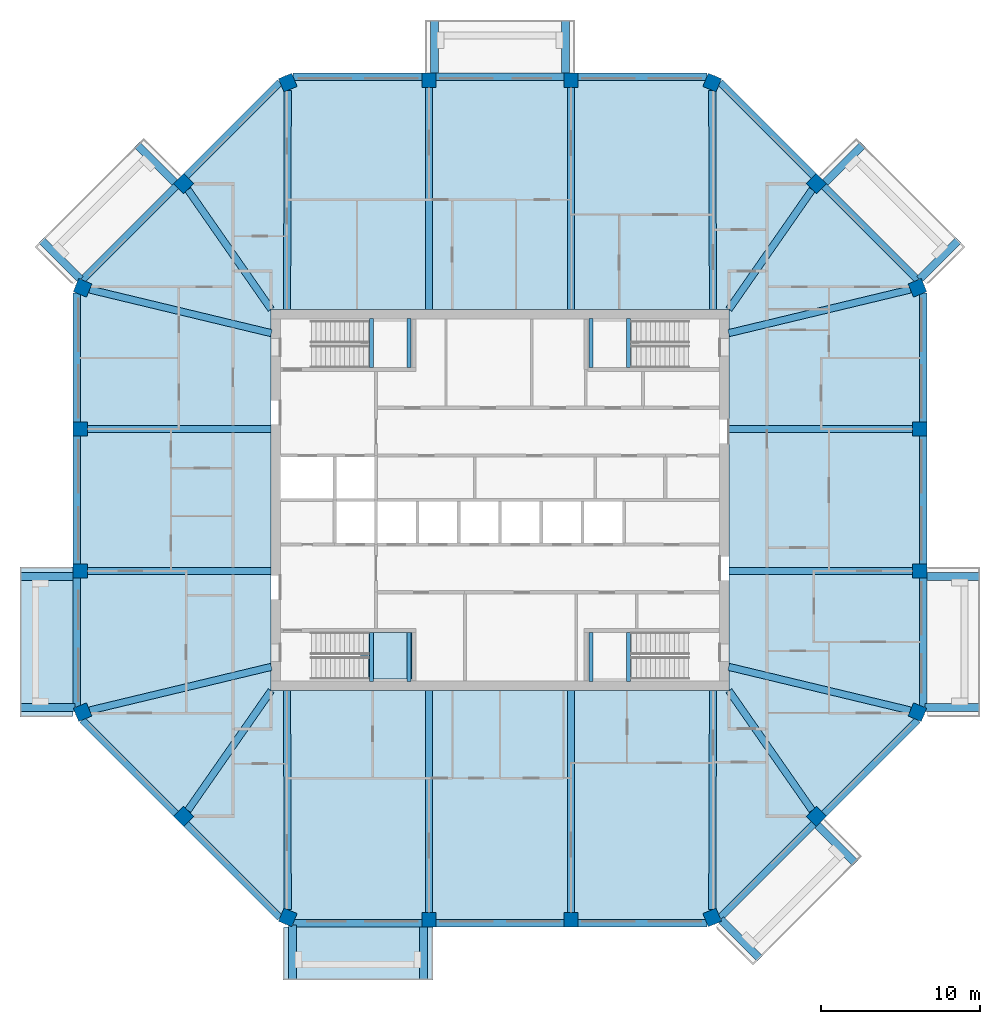
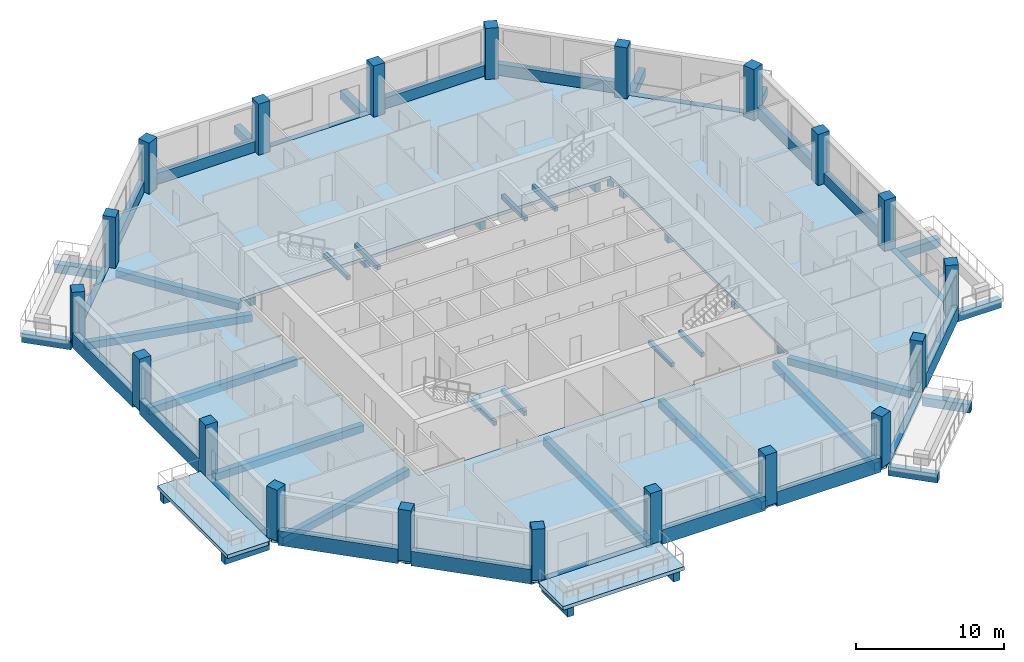
# One storey, part 1 of 11: 62 beams, 20 columns, 4 slabs, 1 element without a shape of its own.
"""IFC4 building model written with IfcOpenShell, lengths in metres."""

from ifc_helpers import new_model, si_unit, direction, frame, origin, origin_2d, place, context, subcontext, project, spatial, polyline, rectangle, outline, extrude, material, layer, layer_set, material_profile, profile_set, type_object, element, aggregate, save


model = new_model("IFC4")

# Units and contexts
model_context = context("Model", 3, precision=1e-05, world=origin(), true_north=direction((0.0, 1.0)))
body_context = subcontext(model_context, "Body", "Model", "MODEL_VIEW")
ifc_project = project(units=[si_unit("LENGTHUNIT", "METRE"), si_unit("AREAUNIT", "SQUARE_METRE"), si_unit("VOLUMEUNIT", "CUBIC_METRE"), si_unit("PLANEANGLEUNIT", "RADIAN"), si_unit("MASSUNIT", "GRAM", prefix="KILO")], contexts=[model_context])

# Site, building, storey
site_placement = place(None, origin())
site = spatial("IfcSite", under=ifc_project, at=site_placement, CompositionType="ELEMENT")
building_placement = place(site_placement, origin())
building = spatial("IfcBuilding", under=site, at=building_placement, Name="Msitu Wima Residences", CompositionType="ELEMENT")
storey_placement = place(building_placement, frame((0.0, 0.0, 297.89990234375)))
storey = spatial("IfcBuildingStorey", under=building, at=storey_placement, Name="L69", CompositionType="ELEMENT", Elevation=297.89990234375)

# Columns
ifc_material_1 = material(Name="Concrete C50/60", Category="concrete")
ifc_material_profile_1 = material_profile(ifc_material_1, rectangle(XDim=0.89990234375, YDim=0.89990234375, at=origin_2d()), Name="RC 900x900")
ifc_profile_set_1 = profile_set([ifc_material_profile_1], Name="Concrete C50/60")
column_type = type_object("IfcColumnType", Name="Column RC 900x900 Concrete C50/60", PredefinedType="COLUMN", material=ifc_profile_set_1)
for number, where, z_axis, x_axis, name in (
    (1, (26.261962890625, -13.3486328125, 0.0), (0.0, 0.0, 1.0), (0.382683496864, 0.923879505795, 0.0), "Column L69 C-E0"),
    (2, (26.39990234375, -4.46875, 0.0), (0.0, 0.0, 1.0), (0.0, 1.0, 0.0), "Column L69 C-E1"),
    (3, (26.39990234375, 4.46875, 0.0), (0.0, 0.0, 1.0), (0.0, 1.0, 0.0), "Column L69 C-E2"),
    (4, (26.261962890625, 13.3486328125, 0.0), (0.0, 0.0, 1.0), (-0.382683496864, 0.923879505795, 0.0), "Column L69 C-NE0"),
    (5, (19.90283203125, 19.90283203125, 0.0), (0.0, 0.0, 1.0), (-0.707106781187, 0.707106781187, 0.0), "Column L69 C-NE1"),
    (6, (13.3486328125, 26.261962890625, 0.0), (0.0, 0.0, 1.0), (-0.923879505795, 0.382683496864, 0.0), "Column L69 C-N0"),
    (7, (4.46875, 26.39990234375, 0.0), (0.0, 0.0, 1.0), (-1.0, 0.0, 0.0), "Column L69 C-N1"),
    (8, (-4.46875, 26.39990234375, 0.0), (0.0, 0.0, 1.0), (-1.0, 0.0, 0.0), "Column L69 C-N2"),
    (9, (-13.3486328125, 26.261962890625, 0.0), (0.0, 0.0, 1.0), (-0.923879505795, -0.382683496864, 0.0), "Column L69 C-NW0"),
    (10, (-19.90283203125, 19.90283203125, 0.0), (0.0, 0.0, 1.0), (-0.707106781187, -0.707106781187, 0.0), "Column L69 C-NW1"),
    (11, (-26.261962890625, 13.3486328125, 0.0), (0.0, 0.0, 1.0), (-0.382683496864, -0.923879505795, 0.0), "Column L69 C-W0"),
    (12, (-26.39990234375, 4.46875, 0.0), (0.0, 0.0, 1.0), (0.0, -1.0, 0.0), "Column L69 C-W1"),
    (13, (-26.39990234375, -4.46875, 0.0), (0.0, 0.0, 1.0), (0.0, -1.0, 0.0), "Column L69 C-W2"),
    (14, (-26.261962890625, -13.3486328125, 0.0), (0.0, 0.0, 1.0), (0.382683496864, -0.923879505795, 0.0), "Column L69 C-SW0"),
    (15, (-19.90283203125, -19.90283203125, 0.0), (0.0, 0.0, 1.0), (0.707106781187, -0.707106781187, 0.0), "Column L69 C-SW1"),
    (16, (-13.3486328125, -26.261962890625, 0.0), (0.0, 0.0, 1.0), (0.923879505795, -0.382683496864, 0.0), "Column L69 C-S0"),
    (17, (-4.46875, -26.39990234375, 0.0), (0.0, 0.0, 1.0), (1.0, 0.0, 0.0), "Column L69 C-S1"),
    (18, (4.46875, -26.39990234375, 0.0), (0.0, 0.0, 1.0), (1.0, 0.0, 0.0), "Column L69 C-S2"),
    (19, (13.3486328125, -26.261962890625, 0.0), (0.0, 0.0, 1.0), (0.923879505795, 0.382683496864, 0.0), "Column L69 C-SE0"),
    (20, (19.90283203125, -19.90283203125, 0.0), (0.0, 0.0, 1.0), (0.707106781187, 0.707106781187, 0.0), "Column L69 C-SE1"),
):
    element("IfcColumn", number, at=place(storey_placement, frame(where, z_axis=z_axis, x_axis=x_axis)), inside=storey, type_object=column_type, Name=name, PredefinedType="COLUMN", context=body_context, shape_type="SweptSolid", body=[
        extrude(rectangle(XDim=0.89990234375, YDim=0.89990234375, at=origin_2d()), origin(), (0.0, 0.0, 1.0), 4.2001953125),
    ])

# Beams
ifc_material_profile_2 = material_profile(ifc_material_1, rectangle(XDim=0.449951171875, YDim=0.60009765625, at=origin_2d()), Name="RC 450x600")
ifc_profile_set_2 = profile_set([ifc_material_profile_2], Name="Concrete C50/60")
beam_type_1 = type_object("IfcBeamType", Name="Beam RC 450x600 Concrete C50/60", PredefinedType="BEAM", material=ifc_profile_set_2)
beam_1_placement = place(storey_placement, frame((25.819091796875, -13.242431640625, -0.5498046875), z_axis=(-0.972353359268, 0.233514335148, 0.0), x_axis=(-0.233514335148, -0.972353359268, 0.0)))
element("IfcBeam", 21, at=beam_1_placement, inside=storey, type_object=beam_type_1, Name="Beam L69 C-E0", PredefinedType="BEAM", context=body_context, shape_type="SweptSolid", body=[
    extrude(rectangle(XDim=0.449951171875, YDim=0.60009765625, at=origin_2d()), origin(), (0.0, 0.0, 1.0), 11.755615234375),
])
for number, where, z_axis, x_axis, name in (
    (22, (25.949951171875, -4.46875, -0.5498046875), (-1.0, 0.0, 0.0), (0.0, -1.0, 0.0), "Beam L69 C-E1"),
    (23, (25.949951171875, 4.46875, -0.5498046875), (-1.0, 0.0, 0.0), (0.0, -1.0, 0.0), "Beam L69 C-E2"),
):
    element("IfcBeam", number, at=place(storey_placement, frame(where, z_axis=z_axis, x_axis=x_axis)), inside=storey, type_object=beam_type_1, Name=name, PredefinedType="BEAM", context=body_context, shape_type="SweptSolid", body=[
        extrude(rectangle(XDim=0.449951171875, YDim=0.60009765625, at=origin_2d()), origin(), (0.0, 0.0, 1.0), 11.550048828125),
    ])
beam_2_placement = place(storey_placement, frame((25.819091796875, 13.242431640625, -0.5498046875), z_axis=(-0.972353359268, -0.233514335148, 0.0), x_axis=(0.233514335148, -0.972353359268, 0.0)))
element("IfcBeam", 24, at=beam_2_placement, inside=storey, type_object=beam_type_1, Name="Beam L69 C-NE0", PredefinedType="BEAM", context=body_context, shape_type="SweptSolid", body=[
    extrude(rectangle(XDim=0.449951171875, YDim=0.60009765625, at=origin_2d()), origin(), (0.0, 0.0, 1.0), 11.755615234375),
])
for number, where, z_axis, x_axis, name in (
    (25, (19.6416015625, 19.52783203125, -0.5498046875), (-0.571427822633, -0.820652328042, 0.0), (0.820652328042, -0.571427822633, 0.0), "Beam L69 C-NE1"),
    (26, (-19.6416015625, 19.52783203125, -0.5498046875), (0.571427822633, -0.820652328042, 0.0), (0.820652328042, 0.571427822633, 0.0), "Beam L69 C-NW1"),
):
    element("IfcBeam", number, at=place(storey_placement, frame(where, z_axis=z_axis, x_axis=x_axis)), inside=storey, type_object=beam_type_1, Name=name, PredefinedType="BEAM", context=body_context, shape_type="SweptSolid", body=[
        extrude(rectangle(XDim=0.449951171875, YDim=0.60009765625, at=origin_2d()), origin(), (0.0, 0.0, 1.0), 9.173095703125),
    ])
beam_3_placement = place(storey_placement, frame((-25.819091796875, 13.242431640625, -0.5498046875), z_axis=(0.972353359268, -0.233514335148, 0.0), x_axis=(0.233514335148, 0.972353359268, 0.0)))
element("IfcBeam", 27, at=beam_3_placement, inside=storey, type_object=beam_type_1, Name="Beam L69 C-W0", PredefinedType="BEAM", context=body_context, shape_type="SweptSolid", body=[
    extrude(rectangle(XDim=0.449951171875, YDim=0.60009765625, at=origin_2d()), origin(), (0.0, 0.0, 1.0), 11.755615234375),
])
for number, where, z_axis, x_axis, name in (
    (28, (-25.949951171875, 4.46875, -0.5498046875), (1.0, 0.0, 0.0), (0.0, 1.0, 0.0), "Beam L69 C-W1"),
    (29, (-25.949951171875, -4.46875, -0.5498046875), (1.0, 0.0, 0.0), (0.0, 1.0, 0.0), "Beam L69 C-W2"),
):
    element("IfcBeam", number, at=place(storey_placement, frame(where, z_axis=z_axis, x_axis=x_axis)), inside=storey, type_object=beam_type_1, Name=name, PredefinedType="BEAM", context=body_context, shape_type="SweptSolid", body=[
        extrude(rectangle(XDim=0.449951171875, YDim=0.60009765625, at=origin_2d()), origin(), (0.0, 0.0, 1.0), 11.550048828125),
    ])
beam_4_placement = place(storey_placement, frame((-25.819091796875, -13.242431640625, -0.5498046875), z_axis=(0.972353359268, 0.233514335148, 0.0), x_axis=(-0.233514335148, 0.972353359268, 0.0)))
element("IfcBeam", 30, at=beam_4_placement, inside=storey, type_object=beam_type_1, Name="Beam L69 C-SW0", PredefinedType="BEAM", context=body_context, shape_type="SweptSolid", body=[
    extrude(rectangle(XDim=0.449951171875, YDim=0.60009765625, at=origin_2d()), origin(), (0.0, 0.0, 1.0), 11.755615234375),
])
for number, where, z_axis, x_axis, name in (
    (31, (-19.6416015625, -19.52783203125, -0.5498046875), (0.571427822633, 0.820652328042, 0.0), (-0.820652328042, 0.571427822633, 0.0), "Beam L69 C-SW1"),
    (32, (19.6416015625, -19.52783203125, -0.5498046875), (-0.571427822633, 0.820652328042, 0.0), (-0.820652328042, -0.571427822633, 0.0), "Beam L69 C-SE1"),
):
    element("IfcBeam", number, at=place(storey_placement, frame(where, z_axis=z_axis, x_axis=x_axis)), inside=storey, type_object=beam_type_1, Name=name, PredefinedType="BEAM", context=body_context, shape_type="SweptSolid", body=[
        extrude(rectangle(XDim=0.449951171875, YDim=0.60009765625, at=origin_2d()), origin(), (0.0, 0.0, 1.0), 9.173095703125),
    ])
ifc_material_profile_3 = material_profile(ifc_material_1, rectangle(XDim=0.449951171875, YDim=0.64990234375, at=origin_2d()), Name="RC 450x650")
ifc_profile_set_3 = profile_set([ifc_material_profile_3], Name="Concrete C50/60")
beam_type_2 = type_object("IfcBeamType", Name="Beam RC 450x650 Concrete C50/60", PredefinedType="BEAM", material=ifc_profile_set_3)
beam_5_placement = place(storey_placement, frame((13.3505859375, 25.774169921875, -0.574951171875), z_axis=(0.003594933206, -0.999993538207, 0.0), x_axis=(0.999993538207, 0.003594933206, 0.0)))
element("IfcBeam", 33, at=beam_5_placement, inside=storey, type_object=beam_type_2, Name="Beam L69 C-N0", PredefinedType="BEAM", context=body_context, shape_type="SweptSolid", body=[
    extrude(rectangle(XDim=0.449951171875, YDim=0.64990234375, at=origin_2d()), origin(), (0.0, 0.0, 1.0), 13.7861328125),
])
for number, where, z_axis, x_axis, name in (
    (34, (4.46875, 25.949951171875, -0.574951171875), (0.0, -1.0, 0.0), (1.0, 0.0, 0.0), "Beam L69 C-N1"),
    (35, (-4.46875, 25.949951171875, -0.574951171875), (0.0, -1.0, 0.0), (1.0, 0.0, 0.0), "Beam L69 C-N2"),
):
    element("IfcBeam", number, at=place(storey_placement, frame(where, z_axis=z_axis, x_axis=x_axis)), inside=storey, type_object=beam_type_2, Name=name, PredefinedType="BEAM", context=body_context, shape_type="SweptSolid", body=[
        extrude(rectangle(XDim=0.449951171875, YDim=0.64990234375, at=origin_2d()), origin(), (0.0, 0.0, 1.0), 13.949951171875),
    ])
for number, where, z_axis, x_axis, name in (
    (36, (-13.3505859375, 25.774169921875, -0.574951171875), (-0.003594933206, -0.999993538207, 0.0), (0.999993538207, -0.003594933206, 0.0), "Beam L69 C-NW0"),
    (37, (-13.3505859375, -25.774169921875, -0.574951171875), (-0.003594933206, 0.999993538207, 0.0), (-0.999993538207, -0.003594933206, 0.0), "Beam L69 C-S0"),
):
    element("IfcBeam", number, at=place(storey_placement, frame(where, z_axis=z_axis, x_axis=x_axis)), inside=storey, type_object=beam_type_2, Name=name, PredefinedType="BEAM", context=body_context, shape_type="SweptSolid", body=[
        extrude(rectangle(XDim=0.449951171875, YDim=0.64990234375, at=origin_2d()), origin(), (0.0, 0.0, 1.0), 13.7861328125),
    ])
for number, where, z_axis, x_axis, name in (
    (38, (-4.46875, -25.949951171875, -0.574951171875), (0.0, 1.0, 0.0), (-1.0, 0.0, 0.0), "Beam L69 C-S1"),
    (39, (4.46875, -25.949951171875, -0.574951171875), (0.0, 1.0, 0.0), (-1.0, 0.0, 0.0), "Beam L69 C-S2"),
):
    element("IfcBeam", number, at=place(storey_placement, frame(where, z_axis=z_axis, x_axis=x_axis)), inside=storey, type_object=beam_type_2, Name=name, PredefinedType="BEAM", context=body_context, shape_type="SweptSolid", body=[
        extrude(rectangle(XDim=0.449951171875, YDim=0.64990234375, at=origin_2d()), origin(), (0.0, 0.0, 1.0), 13.949951171875),
    ])
beam_6_placement = place(storey_placement, frame((13.3505859375, -25.774169921875, -0.574951171875), z_axis=(0.003594933206, 0.999993538207, 0.0), x_axis=(-0.999993538207, 0.003594933206, 0.0)))
element("IfcBeam", 40, at=beam_6_placement, inside=storey, type_object=beam_type_2, Name="Beam L69 C-SE0", PredefinedType="BEAM", context=body_context, shape_type="SweptSolid", body=[
    extrude(rectangle(XDim=0.449951171875, YDim=0.64990234375, at=origin_2d()), origin(), (0.0, 0.0, 1.0), 13.7861328125),
])
ifc_material_profile_4 = material_profile(ifc_material_1, rectangle(XDim=0.5, YDim=0.699951171875, at=origin_2d()), Name="RC 500x700")
ifc_profile_set_4 = profile_set([ifc_material_profile_4], Name="Concrete C50/60")
beam_type_3 = type_object("IfcBeamType", Name="Cantilever beam RC 500x700 Concrete C50/60", PredefinedType="BEAM", material=ifc_profile_set_4)
beam_7_placement = place(storey_placement, frame((26.73095703125, -13.055908203125, -0.64990234375), z_axis=(1.0, 0.0, 0.0), x_axis=(0.0, 1.0, 0.0)))
element("IfcBeam", 41, at=beam_7_placement, inside=storey, type_object=beam_type_3, Name="Cantilever beam L69 BA-E0 A", PredefinedType="BEAM", context=body_context, shape_type="SweptSolid", body=[
    extrude(rectangle(XDim=0.5, YDim=0.699951171875, at=origin_2d()), origin(), (0.0, 0.0, 1.0), 3.468994140625),
])
beam_8_placement = place(storey_placement, frame((26.85009765625, -4.818603515625, -0.64990234375), z_axis=(1.0, 0.0, 0.0), x_axis=(0.0, 1.0, 0.0)))
element("IfcBeam", 42, at=beam_8_placement, inside=storey, type_object=beam_type_3, Name="Cantilever beam L69 BA-E0 B", PredefinedType="BEAM", context=body_context, shape_type="SweptSolid", body=[
    extrude(rectangle(XDim=0.5, YDim=0.699951171875, at=origin_2d()), origin(), (0.0, 0.0, 1.0), 3.349853515625),
])
beam_9_placement = place(storey_placement, frame((26.386474609375, 13.887451171875, -0.64990234375), z_axis=(0.707141968506, 0.707071592116, 0.0), x_axis=(-0.707071592116, 0.707141968506, 0.0)))
element("IfcBeam", 43, at=beam_9_placement, inside=storey, type_object=beam_type_3, Name="Cantilever beam L69 BA-NE0 A", PredefinedType="BEAM", context=body_context, shape_type="SweptSolid", body=[
    extrude(rectangle(XDim=0.5, YDim=0.699951171875, at=origin_2d()), origin(), (0.0, 0.0, 1.0), 3.468994140625),
])
for number, where, z_axis, x_axis, name in (
    (44, (20.46875, 19.9736328125, -0.64990234375), (0.707070340836, 0.707143219659, 0.0), (-0.707143219659, 0.707070340836, 0.0), "Cantilever beam L69 BA-NE0 B"),
    (45, (4.11865234375, 26.85009765625, -0.64990234375), (0.0, 1.0, 0.0), (-1.0, 0.0, 0.0), "Cantilever beam L69 BA-N1 A"),
    (46, (-4.11865234375, 26.85009765625, -0.64990234375), (0.0, 1.0, 0.0), (-1.0, 0.0, 0.0), "Cantilever beam L69 BA-N1 B"),
    (47, (-20.46875, 19.9736328125, -0.64990234375), (-0.707070340836, 0.707143219659, 0.0), (-0.707143219659, -0.707070340836, 0.0), "Cantilever beam L69 BA-NW1 A"),
):
    element("IfcBeam", number, at=place(storey_placement, frame(where, z_axis=z_axis, x_axis=x_axis)), inside=storey, type_object=beam_type_3, Name=name, PredefinedType="BEAM", context=body_context, shape_type="SweptSolid", body=[
        extrude(rectangle(XDim=0.5, YDim=0.699951171875, at=origin_2d()), origin(), (0.0, 0.0, 1.0), 3.349853515625),
    ])
beam_10_placement = place(storey_placement, frame((-26.386474609375, 13.887451171875, -0.64990234375), z_axis=(-0.707141968506, 0.707071592116, 0.0), x_axis=(-0.707071592116, -0.707141968506, 0.0)))
element("IfcBeam", 48, at=beam_10_placement, inside=storey, type_object=beam_type_3, Name="Cantilever beam L69 BA-NW1 B", PredefinedType="BEAM", context=body_context, shape_type="SweptSolid", body=[
    extrude(rectangle(XDim=0.5, YDim=0.699951171875, at=origin_2d()), origin(), (0.0, 0.0, 1.0), 3.468994140625),
])
beam_11_placement = place(storey_placement, frame((-26.85009765625, -4.818603515625, -0.64990234375), z_axis=(-1.0, 0.0, 0.0), x_axis=(0.0, -1.0, 0.0)))
element("IfcBeam", 49, at=beam_11_placement, inside=storey, type_object=beam_type_3, Name="Cantilever beam L69 BA-W2 A", PredefinedType="BEAM", context=body_context, shape_type="SweptSolid", body=[
    extrude(rectangle(XDim=0.5, YDim=0.699951171875, at=origin_2d()), origin(), (0.0, 0.0, 1.0), 3.349853515625),
])
for number, where, z_axis, x_axis, name in (
    (50, (-26.73095703125, -13.055908203125, -0.64990234375), (-1.0, 0.0, 0.0), (0.0, -1.0, 0.0), "Cantilever beam L69 BA-W2 B"),
    (51, (-13.055908203125, -26.73095703125, -0.64990234375), (0.0, -1.0, 0.0), (1.0, 0.0, 0.0), "Cantilever beam L69 BA-S0 A"),
):
    element("IfcBeam", number, at=place(storey_placement, frame(where, z_axis=z_axis, x_axis=x_axis)), inside=storey, type_object=beam_type_3, Name=name, PredefinedType="BEAM", context=body_context, shape_type="SweptSolid", body=[
        extrude(rectangle(XDim=0.5, YDim=0.699951171875, at=origin_2d()), origin(), (0.0, 0.0, 1.0), 3.468994140625),
    ])
beam_12_placement = place(storey_placement, frame((-4.818603515625, -26.85009765625, -0.64990234375), z_axis=(0.0, -1.0, 0.0), x_axis=(1.0, 0.0, 0.0)))
element("IfcBeam", 52, at=beam_12_placement, inside=storey, type_object=beam_type_3, Name="Cantilever beam L69 BA-S0 B", PredefinedType="BEAM", context=body_context, shape_type="SweptSolid", body=[
    extrude(rectangle(XDim=0.5, YDim=0.699951171875, at=origin_2d()), origin(), (0.0, 0.0, 1.0), 3.349853515625),
])
beam_13_placement = place(storey_placement, frame((13.887451171875, -26.386474609375, -0.64990234375), z_axis=(0.707071592116, -0.707141968506, 0.0), x_axis=(0.707141968506, 0.707071592116, 0.0)))
element("IfcBeam", 53, at=beam_13_placement, inside=storey, type_object=beam_type_3, Name="Cantilever beam L69 BA-SE0 A", PredefinedType="BEAM", context=body_context, shape_type="SweptSolid", body=[
    extrude(rectangle(XDim=0.5, YDim=0.699951171875, at=origin_2d()), origin(), (0.0, 0.0, 1.0), 3.468994140625),
])
beam_14_placement = place(storey_placement, frame((19.9736328125, -20.46875, -0.64990234375), z_axis=(0.707143219659, -0.707070340836, 0.0), x_axis=(0.707070340836, 0.707143219659, 0.0)))
element("IfcBeam", 54, at=beam_14_placement, inside=storey, type_object=beam_type_3, Name="Cantilever beam L69 BA-SE0 B", PredefinedType="BEAM", context=body_context, shape_type="SweptSolid", body=[
    extrude(rectangle(XDim=0.5, YDim=0.699951171875, at=origin_2d()), origin(), (0.0, 0.0, 1.0), 3.349853515625),
])
ifc_material_profile_5 = material_profile(ifc_material_1, rectangle(XDim=0.449951171875, YDim=0.300048828125, at=origin_2d()), Name="RC 450x300")
ifc_profile_set_5 = profile_set([ifc_material_profile_5], Name="Concrete C50/60")
beam_type_4 = type_object("IfcBeamType", Name="Edge beam RC 450x300 Concrete C50/60", PredefinedType="SPANDREL", material=ifc_profile_set_5)
beam_15_placement = place(storey_placement, frame((26.625, -13.02392578125, -0.14990234375), z_axis=(0.0, 1.0, 0.0), x_axis=(-1.0, 0.0, 0.0)))
element("IfcBeam", 55, at=beam_15_placement, inside=storey, type_object=beam_type_4, Name="Spandrel L69 E0", PredefinedType="SPANDREL", context=body_context, shape_type="SweptSolid", body=[
    extrude(rectangle(XDim=0.449951171875, YDim=0.300048828125, at=origin_2d()), origin(), (0.0, 0.0, 1.0), 8.105224609375),
])
beam_16_placement = place(storey_placement, frame((26.2890625, 13.8349609375, -0.14990234375), z_axis=(-0.707106781187, 0.707106781187, 0.0), x_axis=(-0.707106781187, -0.707106781187, 0.0)))
element("IfcBeam", 56, at=beam_16_placement, inside=storey, type_object=beam_type_4, Name="Spandrel L69 NE0", PredefinedType="SPANDREL", context=body_context, shape_type="SweptSolid", body=[
    extrude(rectangle(XDim=0.449951171875, YDim=0.300048828125, at=origin_2d()), origin(), (0.0, 0.0, 1.0), 8.3564453125),
])
beam_17_placement = place(storey_placement, frame((4.0185546875, 26.625, -0.14990234375), z_axis=(-1.0, 0.0, 0.0), x_axis=(0.0, -1.0, 0.0)))
element("IfcBeam", 57, at=beam_17_placement, inside=storey, type_object=beam_type_4, Name="Spandrel L69 N1", PredefinedType="SPANDREL", context=body_context, shape_type="SweptSolid", body=[
    extrude(rectangle(XDim=0.449951171875, YDim=0.300048828125, at=origin_2d()), origin(), (0.0, 0.0, 1.0), 8.037109375),
])
beam_18_placement = place(storey_placement, frame((-20.380126953125, 19.743896484375, -0.14990234375), z_axis=(-0.707106781187, -0.707106781187, 0.0), x_axis=(0.707106781187, -0.707106781187, 0.0)))
element("IfcBeam", 58, at=beam_18_placement, inside=storey, type_object=beam_type_4, Name="Spandrel L69 NW1", PredefinedType="SPANDREL", context=body_context, shape_type="SweptSolid", body=[
    extrude(rectangle(XDim=0.449951171875, YDim=0.300048828125, at=origin_2d()), origin(), (0.0, 0.0, 1.0), 8.3564453125),
])
for number, where, z_axis, x_axis, name in (
    (59, (-26.625, -4.918701171875, -0.14990234375), (0.0, -1.0, 0.0), (1.0, 0.0, 0.0), "Spandrel L69 W2"),
    (60, (-13.02392578125, -26.625, -0.14990234375), (1.0, 0.0, 0.0), (0.0, 1.0, 0.0), "Spandrel L69 S0"),
):
    element("IfcBeam", number, at=place(storey_placement, frame(where, z_axis=z_axis, x_axis=x_axis)), inside=storey, type_object=beam_type_4, Name=name, PredefinedType="SPANDREL", context=body_context, shape_type="SweptSolid", body=[
        extrude(rectangle(XDim=0.449951171875, YDim=0.300048828125, at=origin_2d()), origin(), (0.0, 0.0, 1.0), 8.105224609375),
    ])
beam_19_placement = place(storey_placement, frame((13.8349609375, -26.2890625, -0.14990234375), z_axis=(0.707106781187, 0.707106781187, 0.0), x_axis=(-0.707106781187, 0.707106781187, 0.0)))
element("IfcBeam", 61, at=beam_19_placement, inside=storey, type_object=beam_type_4, Name="Spandrel L69 SE0", PredefinedType="SPANDREL", context=body_context, shape_type="SweptSolid", body=[
    extrude(rectangle(XDim=0.449951171875, YDim=0.300048828125, at=origin_2d()), origin(), (0.0, 0.0, 1.0), 8.3564453125),
])
ifc_material_2 = material(Name="Concrete C40/50", Category="concrete")
ifc_material_profile_6 = material_profile(ifc_material_2, rectangle(XDim=0.25, YDim=0.35009765625, at=origin_2d()), Name="RC 250x350")
ifc_profile_set_6 = profile_set([ifc_material_profile_6], Name="Concrete C40/50")
beam_type_5 = type_object("IfcBeamType", Name="Landing beam RC 250x350", PredefinedType="BEAM", material=ifc_profile_set_6)
for number, where, z_axis, x_axis, name in (
    (62, (-8.074951171875, 8.324951171875, 1.72509765625), (0.0, 1.0, 0.0), (-1.0, 0.0, 0.0), "Stair 1 landing beam"),
    (63, (-5.72509765625, 8.324951171875, 1.72509765625), (0.0, 1.0, 0.0), (-1.0, 0.0, 0.0), "Stair 1 landing beam"),
    (64, (-8.074951171875, -11.425048828125, 1.72509765625), (0.0, 1.0, 0.0), (-1.0, 0.0, 0.0), "Stair 2 landing beam"),
    (65, (-5.72509765625, -11.425048828125, 1.72509765625), (0.0, 1.0, 0.0), (-1.0, 0.0, 0.0), "Stair 2 landing beam"),
    (66, (8.074951171875, 8.324951171875, 1.72509765625), (0.0, 1.0, 0.0), (-1.0, 0.0, 0.0), "Stair 3 landing beam"),
    (67, (5.72509765625, 8.324951171875, 1.72509765625), (0.0, 1.0, 0.0), (-1.0, 0.0, 0.0), "Stair 3 landing beam"),
    (68, (8.074951171875, -11.425048828125, 1.72509765625), (0.0, 1.0, 0.0), (-1.0, 0.0, 0.0), "Stair 4 landing beam"),
    (69, (5.72509765625, -11.425048828125, 1.72509765625), (0.0, 1.0, 0.0), (-1.0, 0.0, 0.0), "Stair 4 landing beam"),
):
    element("IfcBeam", number, at=place(storey_placement, frame(where, z_axis=z_axis, x_axis=x_axis)), inside=storey, type_object=beam_type_5, Name=name, PredefinedType="BEAM", context=body_context, shape_type="SweptSolid", body=[
        extrude(rectangle(XDim=0.25, YDim=0.35009765625, at=origin_2d()), origin(), (0.0, 0.0, 1.0), 3.10009765625),
    ])
ifc_material_profile_7 = material_profile(ifc_material_1, rectangle(XDim=0.449951171875, YDim=1.199951171875, at=origin_2d()), Name="RC 450x1200")
ifc_profile_set_7 = profile_set([ifc_material_profile_7], Name="Concrete C50/60")
beam_type_6 = type_object("IfcBeamType", Name="Spandrel RC 450x1200 Concrete C50/60", PredefinedType="SPANDREL", material=ifc_profile_set_7)
beam_20_placement = place(storey_placement, frame((26.625, -4.0185546875, 0.300048828125), z_axis=(0.0, 1.0, 0.0), x_axis=(-1.0, 0.0, 0.0)))
element("IfcBeam", 70, at=beam_20_placement, inside=storey, type_object=beam_type_6, Name="Spandrel L69 E1", PredefinedType="SPANDREL", context=body_context, shape_type="SweptSolid", body=[
    extrude(rectangle(XDim=0.449951171875, YDim=1.199951171875, at=origin_2d()), origin(), (0.0, 0.0, 1.0), 8.037109375),
])
beam_21_placement = place(storey_placement, frame((26.625, 4.918701171875, 0.300048828125), z_axis=(0.0, 1.0, 0.0), x_axis=(-1.0, 0.0, 0.0)))
element("IfcBeam", 71, at=beam_21_placement, inside=storey, type_object=beam_type_6, Name="Spandrel L69 E2", PredefinedType="SPANDREL", context=body_context, shape_type="SweptSolid", body=[
    extrude(rectangle(XDim=0.449951171875, YDim=1.199951171875, at=origin_2d()), origin(), (0.0, 0.0, 1.0), 8.105224609375),
])
beam_22_placement = place(storey_placement, frame((19.743896484375, 20.380126953125, 0.300048828125), z_axis=(-0.707106781187, 0.707106781187, 0.0), x_axis=(-0.707106781187, -0.707106781187, 0.0)))
element("IfcBeam", 72, at=beam_22_placement, inside=storey, type_object=beam_type_6, Name="Spandrel L69 NE1", PredefinedType="SPANDREL", context=body_context, shape_type="SweptSolid", body=[
    extrude(rectangle(XDim=0.449951171875, YDim=1.199951171875, at=origin_2d()), origin(), (0.0, 0.0, 1.0), 8.3564453125),
])
for number, where, z_axis, x_axis, name in (
    (73, (13.02392578125, 26.625, 0.300048828125), (-1.0, 0.0, 0.0), (0.0, -1.0, 0.0), "Spandrel L69 N0"),
    (74, (-4.918701171875, 26.625, 0.300048828125), (-1.0, 0.0, 0.0), (0.0, -1.0, 0.0), "Spandrel L69 N2"),
):
    element("IfcBeam", number, at=place(storey_placement, frame(where, z_axis=z_axis, x_axis=x_axis)), inside=storey, type_object=beam_type_6, Name=name, PredefinedType="SPANDREL", context=body_context, shape_type="SweptSolid", body=[
        extrude(rectangle(XDim=0.449951171875, YDim=1.199951171875, at=origin_2d()), origin(), (0.0, 0.0, 1.0), 8.105224609375),
    ])
beam_23_placement = place(storey_placement, frame((-13.8349609375, 26.2890625, 0.300048828125), z_axis=(-0.707106781187, -0.707106781187, 0.0), x_axis=(0.707106781187, -0.707106781187, 0.0)))
element("IfcBeam", 75, at=beam_23_placement, inside=storey, type_object=beam_type_6, Name="Spandrel L69 NW0", PredefinedType="SPANDREL", context=body_context, shape_type="SweptSolid", body=[
    extrude(rectangle(XDim=0.449951171875, YDim=1.199951171875, at=origin_2d()), origin(), (0.0, 0.0, 1.0), 8.3564453125),
])
beam_24_placement = place(storey_placement, frame((-26.625, 13.02392578125, 0.300048828125), z_axis=(0.0, -1.0, 0.0), x_axis=(1.0, 0.0, 0.0)))
element("IfcBeam", 76, at=beam_24_placement, inside=storey, type_object=beam_type_6, Name="Spandrel L69 W0", PredefinedType="SPANDREL", context=body_context, shape_type="SweptSolid", body=[
    extrude(rectangle(XDim=0.449951171875, YDim=1.199951171875, at=origin_2d()), origin(), (0.0, 0.0, 1.0), 8.105224609375),
])
beam_25_placement = place(storey_placement, frame((-26.625, 4.0185546875, 0.300048828125), z_axis=(0.0, -1.0, 0.0), x_axis=(1.0, 0.0, 0.0)))
element("IfcBeam", 77, at=beam_25_placement, inside=storey, type_object=beam_type_6, Name="Spandrel L69 W1", PredefinedType="SPANDREL", context=body_context, shape_type="SweptSolid", body=[
    extrude(rectangle(XDim=0.449951171875, YDim=1.199951171875, at=origin_2d()), origin(), (0.0, 0.0, 1.0), 8.037109375),
])
for number, where, z_axis, x_axis, name in (
    (78, (-26.2890625, -13.8349609375, 0.300048828125), (0.707106781187, -0.707106781187, 0.0), (0.707106781187, 0.707106781187, 0.0), "Spandrel L69 SW0"),
    (79, (-19.743896484375, -20.380126953125, 0.300048828125), (0.707106781187, -0.707106781187, 0.0), (0.707106781187, 0.707106781187, 0.0), "Spandrel L69 SW1"),
):
    element("IfcBeam", number, at=place(storey_placement, frame(where, z_axis=z_axis, x_axis=x_axis)), inside=storey, type_object=beam_type_6, Name=name, PredefinedType="SPANDREL", context=body_context, shape_type="SweptSolid", body=[
        extrude(rectangle(XDim=0.449951171875, YDim=1.199951171875, at=origin_2d()), origin(), (0.0, 0.0, 1.0), 8.3564453125),
    ])
beam_26_placement = place(storey_placement, frame((-4.0185546875, -26.625, 0.300048828125), z_axis=(1.0, 0.0, 0.0), x_axis=(0.0, 1.0, 0.0)))
element("IfcBeam", 80, at=beam_26_placement, inside=storey, type_object=beam_type_6, Name="Spandrel L69 S1", PredefinedType="SPANDREL", context=body_context, shape_type="SweptSolid", body=[
    extrude(rectangle(XDim=0.449951171875, YDim=1.199951171875, at=origin_2d()), origin(), (0.0, 0.0, 1.0), 8.037109375),
])
beam_27_placement = place(storey_placement, frame((4.918701171875, -26.625, 0.300048828125), z_axis=(1.0, 0.0, 0.0), x_axis=(0.0, 1.0, 0.0)))
element("IfcBeam", 81, at=beam_27_placement, inside=storey, type_object=beam_type_6, Name="Spandrel L69 S2", PredefinedType="SPANDREL", context=body_context, shape_type="SweptSolid", body=[
    extrude(rectangle(XDim=0.449951171875, YDim=1.199951171875, at=origin_2d()), origin(), (0.0, 0.0, 1.0), 8.105224609375),
])
beam_28_placement = place(storey_placement, frame((20.380126953125, -19.743896484375, 0.300048828125), z_axis=(0.707106781187, 0.707106781187, 0.0), x_axis=(-0.707106781187, 0.707106781187, 0.0)))
element("IfcBeam", 82, at=beam_28_placement, inside=storey, type_object=beam_type_6, Name="Spandrel L69 SE1", PredefinedType="SPANDREL", context=body_context, shape_type="SweptSolid", body=[
    extrude(rectangle(XDim=0.449951171875, YDim=1.199951171875, at=origin_2d()), origin(), (0.0, 0.0, 1.0), 8.3564453125),
])

# Slabs
ifc_layer_1 = layer(ifc_material_2, 0.300048828125)
ifc_layer_set_1 = layer_set([ifc_layer_1], Name="Concrete C40/50")
slab_type_1 = type_object("IfcSlabType", Name="Balcony slab BS300", PredefinedType="FLOOR", material=ifc_layer_set_1)
slab_1_placement = place(storey_placement, frame((0.0, 0.0, -0.2998046875)))
element("IfcSlab", 83, at=slab_1_placement, inside=storey, type_object=slab_type_1, Name="Balcony W2 L69", PredefinedType="FLOOR", context=body_context, shape_type="SweptSolid", body=[
    extrude(outline(polyline([(-26.85009765625, -13.105224609375), (-26.85009765625, -13.105224609375), (-26.85009765625, -13.105224609375), (-26.85009765625, -13.59228515625), (-27.003662109375, -13.656005859375), (-30.199951171875, -13.656005859375), (-30.199951171875, -4.21875), (-26.85009765625, -4.21875), (-26.85009765625, -4.918701171875), (-26.85009765625, -13.105224609375)])), origin(), (0.0, 0.0, 1.0), 0.2998046875),
])
slab_2_placement = place(storey_placement, frame((0.0, 0.0, -0.2998046875)))
element("IfcSlab", 84, at=slab_2_placement, inside=storey, type_object=slab_type_1, Name="Balcony S0 L69", PredefinedType="FLOOR", context=body_context, shape_type="SweptSolid", body=[
    extrude(outline(polyline([(-13.105224609375, -26.85009765625), (-13.105224609375, -26.85009765625), (-4.918701171875, -26.85009765625), (-4.21875, -26.85009765625), (-4.21875, -30.199951171875), (-13.656005859375, -30.199951171875), (-13.656005859375, -27.003662109375), (-13.59228515625, -26.85009765625), (-13.105224609375, -26.85009765625), (-13.105224609375, -26.85009765625)])), origin(), (0.0, 0.0, 1.0), 0.2998046875),
])
ifc_layer_2 = layer(ifc_material_2, 0.25)
ifc_layer_set_2 = layer_set([ifc_layer_2], Name="Concrete C40/50")
slab_type_2 = type_object("IfcSlabType", Name="PT flat slab 250 Concrete C40/50", PredefinedType="FLOOR", material=ifc_layer_set_2)
slab_3_placement = place(storey_placement, frame((0.0, 0.0, -0.25)))
element("IfcSlab", 85, at=slab_3_placement, inside=storey, type_object=slab_type_2, Name="Floor slab L69", PredefinedType="FLOOR", context=body_context, shape_type="SweptSolid", body=[
    extrude(outline(polyline([(26.699951171875, -13.5302734375), (13.5302734375, -26.699951171875), (-13.5302734375, -26.699951171875), (-26.699951171875, -13.5302734375), (-26.699951171875, 13.5302734375), (-13.5302734375, 26.699951171875), (13.5302734375, 26.699951171875), (26.699951171875, 13.5302734375), (26.699951171875, -13.5302734375)]), holes=[polyline([(-14.39990234375, -12.0), (14.39990234375, -12.0), (14.39990234375, 12.0), (-14.39990234375, 12.0), (-14.39990234375, -12.0)])]), origin(), (0.0, 0.0, 1.0), 0.25),
])

# Stair, slab
stair_type = type_object("IfcStairType", Name="Exit stair ES1615-140", PredefinedType="HALF_TURN_STAIR", material=ifc_material_2)
stair_placement = place(storey_placement, origin())
stair = element("IfcStair", 86, at=stair_placement, inside=storey, type_object=stair_type, Name="Exit stair 2", PredefinedType="HALF_TURN_STAIR")
ifc_layer_3 = layer(ifc_material_2, 0.199951171875)
ifc_layer_set_3 = layer_set([ifc_layer_3], Name="Concrete C40/50")
slab_type_3 = type_object("IfcSlabType", Name="Stair landing SL200", PredefinedType="LANDING", material=ifc_layer_set_3)
slab_4_placement = place(storey_placement, frame((0.0, 0.0, 1.900146484375)))
slab_4 = element("IfcSlab", 87, at=slab_4_placement, type_object=slab_type_3, Name="S2 landing 1", PredefinedType="LANDING", context=body_context, shape_type="SweptSolid", body=[
    extrude(outline(polyline([(-5.52490234375, -11.27490234375), (-8.275390625, -11.27490234375), (-8.275390625, -9.800048828125), (-8.77490234375, -9.800048828125), (-8.77490234375, -8.324951171875), (-5.52490234375, -8.324951171875), (-5.52490234375, -11.27490234375)])), origin(), (0.0, 0.0, 1.0), 0.199951171875),
])
aggregate(stair, [slab_4])

save(model, "model.ifc")
